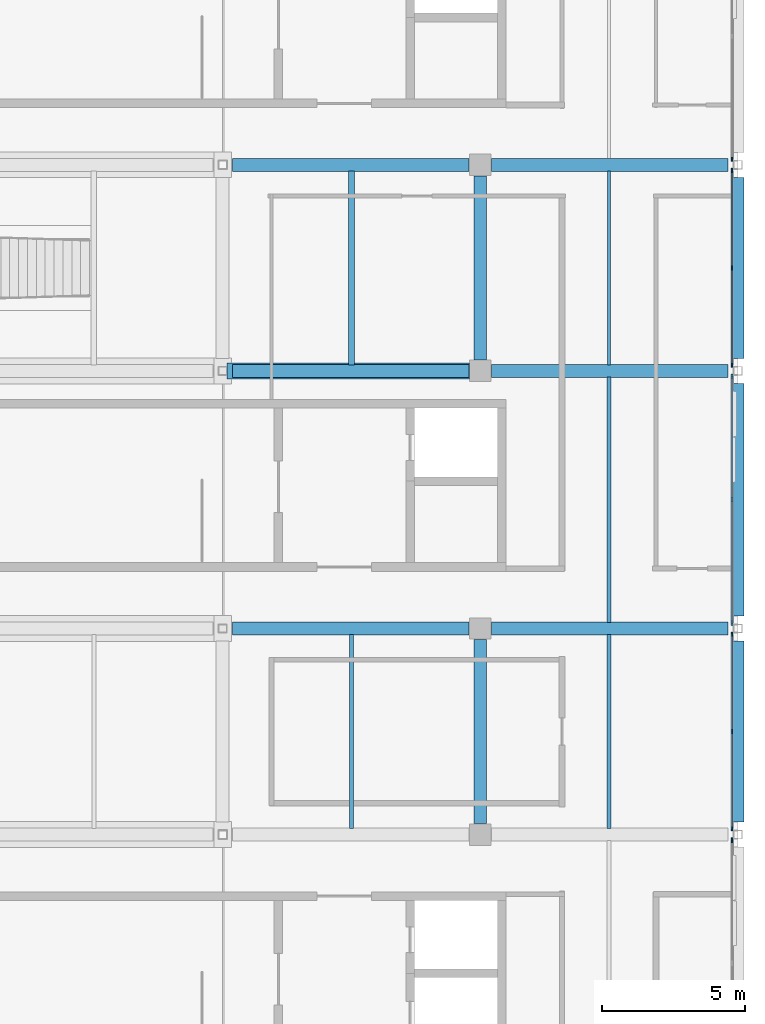
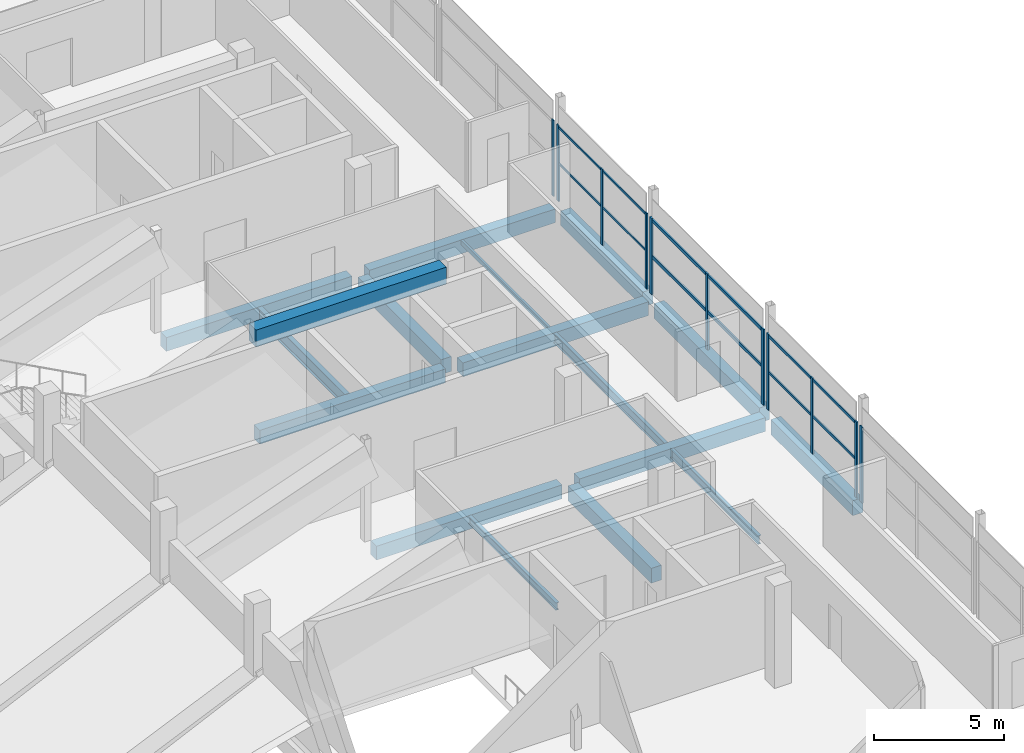
# One storey, part 37 of 66: 17 beams, 17 members, 5 elements without a shape of their own.
"""IFC4 building model written with IfcOpenShell, lengths in metres."""

from ifc_helpers import new_model, si_unit, direction, frame, origin, origin_2d, place, context, subcontext, project, spatial, rectangle, hollow_rectangle, i_section, extrude, material, material_profile, profile_set, type_object, element, aggregate, save


model = new_model("IFC4")

# Units and contexts
model_context = context("Model", 3, precision=1e-05, world=origin(), true_north=direction((0.0, 1.0)))
body_context = subcontext(model_context, "Body", "Model", "MODEL_VIEW")
ifc_project = project(units=[si_unit("LENGTHUNIT", "METRE"), si_unit("AREAUNIT", "SQUARE_METRE"), si_unit("VOLUMEUNIT", "CUBIC_METRE"), si_unit("PLANEANGLEUNIT", "RADIAN"), si_unit("MASSUNIT", "GRAM", prefix="KILO"), si_unit("THERMODYNAMICTEMPERATUREUNIT", "KELVIN"), si_unit("POWERUNIT", "WATT")], contexts=[model_context])

# Site, building, storey
site_placement = place(None, origin())
site = spatial("IfcSite", under=ifc_project, at=site_placement, CompositionType="ELEMENT")
building_placement = place(site_placement, origin())
building = spatial("IfcBuilding", under=site, at=building_placement, Name="Sindhuravela Promenade Stadium", CompositionType="ELEMENT")
storey_placement = place(building_placement, frame((0.0, 0.0, 19.199951171875)))
storey = spatial("IfcBuildingStorey", under=building, at=storey_placement, Name="L04", CompositionType="ELEMENT", Elevation=19.199951171875)

# Curtain wall, members
ifc_material_1 = material(Name="Anodised architectural aluminium 6063-T6", Category="aluminium")
curtain_wall_type_1 = type_object("IfcCurtainWallType", Name="CW-MOD-5", PredefinedType="NOTDEFINED", material=ifc_material_1)
curtain_wall_1_placement = place(storey_placement, origin())
curtain_wall_1 = element("IfcCurtainWall", 1, at=curtain_wall_1_placement, inside=storey, type_object=curtain_wall_type_1, Name="Bronze curtain wall CW-EAST-L04-132", PredefinedType="NOTDEFINED")
ifc_material_profile_1 = material_profile(ifc_material_1, rectangle(XDim=0.074951171875, YDim=0.175048828125, at=origin_2d()), Name="ALU MULL 75x175")
ifc_profile_set_1 = profile_set([ifc_material_profile_1], Name="Anodised architectural aluminium 6063-T6")
member_type_1 = type_object("IfcMemberType", Name="CW-MUL-1", PredefinedType="MULLION", material=ifc_profile_set_1)
member_1_placement = place(storey_placement, frame((206.800048828125, 93.39990234375, 0.0), z_axis=(0.0, 0.0, 1.0), x_axis=(1.0, 0.0, 0.0)))
member_1 = element("IfcMember", 2, at=member_1_placement, type_object=member_type_1, Name="Curtain wall mullion CW-EAST-L04-132-M1", PredefinedType="MULLION", context=body_context, shape_type="SweptSolid", body=[
    extrude(rectangle(XDim=0.074951171875, YDim=0.175048828125, at=origin_2d()), origin(), (0.0, 0.0, 1.0), 3.580078125),
])
member_2_placement = place(storey_placement, frame((206.800048828125, 89.10009765625, 0.0), z_axis=(0.0, 0.0, 1.0), x_axis=(1.0, 0.0, 0.0)))
member_2 = element("IfcMember", 3, at=member_2_placement, type_object=member_type_1, Name="Curtain wall mullion CW-EAST-L04-132-M2", PredefinedType="MULLION", context=body_context, shape_type="SweptSolid", body=[
    extrude(rectangle(XDim=0.074951171875, YDim=0.175048828125, at=origin_2d()), origin(), (0.0, 0.0, 1.0), 3.580078125),
])
member_3_placement = place(storey_placement, frame((206.800048828125, 84.800048828125, 0.0), z_axis=(0.0, 0.0, 1.0), x_axis=(1.0, 0.0, 0.0)))
member_3 = element("IfcMember", 4, at=member_3_placement, type_object=member_type_1, Name="Curtain wall mullion CW-EAST-L04-132-M3", PredefinedType="MULLION", context=body_context, shape_type="SweptSolid", body=[
    extrude(rectangle(XDim=0.074951171875, YDim=0.175048828125, at=origin_2d()), origin(), (0.0, 0.0, 1.0), 3.580078125),
])

curtain_wall_type_2 = type_object("IfcCurtainWallType", Name="CW-MOD-6", PredefinedType="NOTDEFINED", material=ifc_material_1)
curtain_wall_2_placement = place(storey_placement, origin())
curtain_wall_2 = element("IfcCurtainWall", 5, at=curtain_wall_2_placement, inside=storey, type_object=curtain_wall_type_2, Name="Bronze curtain wall CW-EAST-L04-133", PredefinedType="NOTDEFINED")
ifc_material_profile_2 = material_profile(ifc_material_1, rectangle(XDim=0.06494140625, YDim=0.14990234375, at=origin_2d()), Name="ALU MULL 65x150")
ifc_profile_set_2 = profile_set([ifc_material_profile_2], Name="Anodised architectural aluminium 6063-T6")
member_type_2 = type_object("IfcMemberType", Name="CW-MUL-2", PredefinedType="MULLION", material=ifc_profile_set_2)
member_4_placement = place(storey_placement, frame((206.800048828125, 84.39990234375, 0.0), z_axis=(0.0, 0.0, 1.0), x_axis=(1.0, 0.0, 0.0)))
member_4 = element("IfcMember", 6, at=member_4_placement, type_object=member_type_2, Name="Curtain wall mullion CW-EAST-L04-133-M1", PredefinedType="MULLION", context=body_context, shape_type="SweptSolid", body=[
    extrude(rectangle(XDim=0.06494140625, YDim=0.14990234375, at=origin_2d()), origin(), (0.0, 0.0, 1.0), 3.580078125),
])
member_5_placement = place(storey_placement, frame((206.800048828125, 81.0, 0.0), z_axis=(0.0, 0.0, 1.0), x_axis=(1.0, 0.0, 0.0)))
member_5 = element("IfcMember", 7, at=member_5_placement, type_object=member_type_2, Name="Curtain wall mullion CW-EAST-L04-133-M2", PredefinedType="MULLION", context=body_context, shape_type="SweptSolid", body=[
    extrude(rectangle(XDim=0.06494140625, YDim=0.14990234375, at=origin_2d()), origin(), (0.0, 0.0, 1.0), 3.580078125),
])
member_6_placement = place(storey_placement, frame((206.800048828125, 77.60009765625, 0.0), z_axis=(0.0, 0.0, 1.0), x_axis=(1.0, 0.0, 0.0)))
member_6 = element("IfcMember", 8, at=member_6_placement, type_object=member_type_2, Name="Curtain wall mullion CW-EAST-L04-133-M3", PredefinedType="MULLION", context=body_context, shape_type="SweptSolid", body=[
    extrude(rectangle(XDim=0.06494140625, YDim=0.14990234375, at=origin_2d()), origin(), (0.0, 0.0, 1.0), 3.580078125),
])

# Curtain wall, member
curtain_wall_type_3 = type_object("IfcCurtainWallType", Name="CW-MOD-7", PredefinedType="NOTDEFINED", material=ifc_material_1)
curtain_wall_3_placement = place(storey_placement, origin())
curtain_wall_3 = element("IfcCurtainWall", 9, at=curtain_wall_3_placement, inside=storey, type_object=curtain_wall_type_3, Name="Bronze curtain wall CW-EAST-L04-134", PredefinedType="NOTDEFINED")
ifc_material_profile_3 = material_profile(ifc_material_1, rectangle(XDim=0.06005859375, YDim=0.179931640625, at=origin_2d()), Name="ALU M60x180")
ifc_profile_set_3 = profile_set([ifc_material_profile_3], Name="Anodised architectural aluminium 6063-T6")
member_type_3 = type_object("IfcMemberType", Name="CW-MUL-3", PredefinedType="MULLION", material=ifc_profile_set_3)
member_7_placement = place(storey_placement, frame((206.800048828125, 77.199951171875, 0.0), z_axis=(0.0, 0.0, 1.0), x_axis=(1.0, 0.0, 0.0)))
member_7 = element("IfcMember", 10, at=member_7_placement, type_object=member_type_3, Name="Curtain wall mullion CW-EAST-L04-134-M1", PredefinedType="MULLION", context=body_context, shape_type="SweptSolid", body=[
    extrude(rectangle(XDim=0.06005859375, YDim=0.179931640625, at=origin_2d()), origin(), (0.0, 0.0, 1.0), 3.580078125),
])
aggregate(curtain_wall_3, [member_7])

curtain_wall_type_4 = type_object("IfcCurtainWallType", Name="CW-MOD-3", PredefinedType="NOTDEFINED", material=ifc_material_1)
curtain_wall_4_placement = place(storey_placement, origin())
curtain_wall_4 = element("IfcCurtainWall", 11, at=curtain_wall_4_placement, inside=storey, type_object=curtain_wall_type_4, Name="Bronze curtain wall CW-EAST-L04-130", PredefinedType="NOTDEFINED")
ifc_material_profile_4 = material_profile(ifc_material_1, rectangle(XDim=0.06005859375, YDim=0.139892578125, at=origin_2d()), Name="ALU M60x140")
ifc_profile_set_4 = profile_set([ifc_material_profile_4], Name="Anodised architectural aluminium 6063-T6")
member_type_4 = type_object("IfcMemberType", Name="CW-MUL-5", PredefinedType="MULLION", material=ifc_profile_set_4)
member_8_placement = place(storey_placement, frame((206.800048828125, 101.0, 0.0), z_axis=(0.0, 0.0, 1.0), x_axis=(1.0, 0.0, 0.0)))
member_8 = element("IfcMember", 12, at=member_8_placement, type_object=member_type_4, Name="Curtain wall mullion CW-EAST-L04-130-M3", PredefinedType="MULLION", context=body_context, shape_type="SweptSolid", body=[
    extrude(rectangle(XDim=0.06005859375, YDim=0.139892578125, at=origin_2d()), origin(), (0.0, 0.0, 1.0), 3.580078125),
])
aggregate(curtain_wall_4, [member_8])

# Curtain wall, members
curtain_wall_type_5 = type_object("IfcCurtainWallType", Name="CW-MOD-4", PredefinedType="NOTDEFINED", material=ifc_material_1)
curtain_wall_5_placement = place(storey_placement, origin())
curtain_wall_5 = element("IfcCurtainWall", 13, at=curtain_wall_5_placement, inside=storey, type_object=curtain_wall_type_5, Name="Bronze curtain wall CW-EAST-L04-131", PredefinedType="NOTDEFINED")
ifc_material_profile_5 = material_profile(ifc_material_1, rectangle(XDim=0.054931640625, YDim=0.14990234375, at=origin_2d()), Name="ALU M55x150")
ifc_profile_set_5 = profile_set([ifc_material_profile_5], Name="Anodised architectural aluminium 6063-T6")
member_type_5 = type_object("IfcMemberType", Name="CW-MUL-6", PredefinedType="MULLION", material=ifc_profile_set_5)
member_9_placement = place(storey_placement, frame((206.800048828125, 100.60009765625, 0.0), z_axis=(0.0, 0.0, 1.0), x_axis=(1.0, 0.0, 0.0)))
member_9 = element("IfcMember", 14, at=member_9_placement, type_object=member_type_5, Name="Curtain wall mullion CW-EAST-L04-131-M1", PredefinedType="MULLION", context=body_context, shape_type="SweptSolid", body=[
    extrude(rectangle(XDim=0.054931640625, YDim=0.14990234375, at=origin_2d()), origin(), (0.0, 0.0, 1.0), 3.580078125),
])
member_10_placement = place(storey_placement, frame((206.800048828125, 97.199951171875, 0.0), z_axis=(0.0, 0.0, 1.0), x_axis=(1.0, 0.0, 0.0)))
member_10 = element("IfcMember", 15, at=member_10_placement, type_object=member_type_5, Name="Curtain wall mullion CW-EAST-L04-131-M2", PredefinedType="MULLION", context=body_context, shape_type="SweptSolid", body=[
    extrude(rectangle(XDim=0.054931640625, YDim=0.14990234375, at=origin_2d()), origin(), (0.0, 0.0, 1.0), 3.580078125),
])
member_11_placement = place(storey_placement, frame((206.800048828125, 93.800048828125, 0.0), z_axis=(0.0, 0.0, 1.0), x_axis=(1.0, 0.0, 0.0)))
member_11 = element("IfcMember", 16, at=member_11_placement, type_object=member_type_5, Name="Curtain wall mullion CW-EAST-L04-131-M3", PredefinedType="MULLION", context=body_context, shape_type="SweptSolid", body=[
    extrude(rectangle(XDim=0.054931640625, YDim=0.14990234375, at=origin_2d()), origin(), (0.0, 0.0, 1.0), 3.580078125),
])

# Member
ifc_material_profile_6 = material_profile(ifc_material_1, rectangle(XDim=0.074951171875, YDim=0.14990234375, at=origin_2d()), Name="ALU TRAN 75x150")
ifc_profile_set_6 = profile_set([ifc_material_profile_6], Name="Anodised architectural aluminium 6063-T6")
member_type_6 = type_object("IfcMemberType", Name="CW-TRN-1", PredefinedType="USERDEFINED", material=ifc_profile_set_6)
member_12_placement = place(storey_placement, frame((206.800048828125, 93.425048828125, 1.7900390625), z_axis=(0.0, -1.0, 0.0), x_axis=(1.0, 0.0, 0.0)))
member_12 = element("IfcMember", 17, at=member_12_placement, type_object=member_type_6, Name="Curtain wall transom CW-EAST-L04-132-T1", ObjectType="TRANSOM", PredefinedType="USERDEFINED", context=body_context, shape_type="SweptSolid", body=[
    extrude(rectangle(XDim=0.074951171875, YDim=0.14990234375, at=origin_2d()), origin(), (0.0, 0.0, 1.0), 8.650146484375),
])

member_13_placement = place(storey_placement, frame((206.800048828125, 93.425048828125, 3.5), z_axis=(0.0, -1.0, 0.0), x_axis=(1.0, 0.0, 0.0)))
member_13 = element("IfcMember", 18, at=member_13_placement, type_object=member_type_6, Name="Curtain wall transom CW-EAST-L04-132-T2", ObjectType="TRANSOM", PredefinedType="USERDEFINED", context=body_context, shape_type="SweptSolid", body=[
    extrude(rectangle(XDim=0.074951171875, YDim=0.14990234375, at=origin_2d()), origin(), (0.0, 0.0, 1.0), 8.650146484375),
])

aggregate(curtain_wall_1, [member_1, member_2, member_3, member_12, member_13])

ifc_material_profile_7 = material_profile(ifc_material_1, rectangle(XDim=0.06494140625, YDim=0.125, at=origin_2d()), Name="ALU TRAN 65x125")
ifc_profile_set_7 = profile_set([ifc_material_profile_7], Name="Anodised architectural aluminium 6063-T6")
member_type_7 = type_object("IfcMemberType", Name="CW-TRN-2", PredefinedType="USERDEFINED", material=ifc_profile_set_7)
member_14_placement = place(storey_placement, frame((206.800048828125, 84.425048828125, 1.7900390625), z_axis=(0.0, -1.0, 0.0), x_axis=(1.0, 0.0, 0.0)))
member_14 = element("IfcMember", 19, at=member_14_placement, type_object=member_type_7, Name="Curtain wall transom CW-EAST-L04-133-T1", ObjectType="TRANSOM", PredefinedType="USERDEFINED", context=body_context, shape_type="SweptSolid", body=[
    extrude(rectangle(XDim=0.06494140625, YDim=0.125, at=origin_2d()), origin(), (0.0, 0.0, 1.0), 6.85009765625),
])

member_15_placement = place(storey_placement, frame((206.800048828125, 84.425048828125, 3.5), z_axis=(0.0, -1.0, 0.0), x_axis=(1.0, 0.0, 0.0)))
member_15 = element("IfcMember", 20, at=member_15_placement, type_object=member_type_7, Name="Curtain wall transom CW-EAST-L04-133-T2", ObjectType="TRANSOM", PredefinedType="USERDEFINED", context=body_context, shape_type="SweptSolid", body=[
    extrude(rectangle(XDim=0.06494140625, YDim=0.125, at=origin_2d()), origin(), (0.0, 0.0, 1.0), 6.85009765625),
])

aggregate(curtain_wall_2, [member_4, member_5, member_6, member_14, member_15])

ifc_material_profile_8 = material_profile(ifc_material_1, rectangle(XDim=0.054931640625, YDim=0.10498046875, at=origin_2d()), Name="ALU T55x105")
ifc_profile_set_8 = profile_set([ifc_material_profile_8], Name="Anodised architectural aluminium 6063-T6")
member_type_8 = type_object("IfcMemberType", Name="CW-TRN-6", PredefinedType="USERDEFINED", material=ifc_profile_set_8)
member_16_placement = place(storey_placement, frame((206.800048828125, 100.625, 1.7900390625), z_axis=(0.0, -1.0, 0.0), x_axis=(1.0, 0.0, 0.0)))
member_16 = element("IfcMember", 21, at=member_16_placement, type_object=member_type_8, Name="Curtain wall transom CW-EAST-L04-131-T1", ObjectType="TRANSOM", PredefinedType="USERDEFINED", context=body_context, shape_type="SweptSolid", body=[
    extrude(rectangle(XDim=0.054931640625, YDim=0.10498046875, at=origin_2d()), origin(), (0.0, 0.0, 1.0), 6.85009765625),
])

member_17_placement = place(storey_placement, frame((206.800048828125, 100.625, 3.5), z_axis=(0.0, -1.0, 0.0), x_axis=(1.0, 0.0, 0.0)))
member_17 = element("IfcMember", 22, at=member_17_placement, type_object=member_type_8, Name="Curtain wall transom CW-EAST-L04-131-T2", ObjectType="TRANSOM", PredefinedType="USERDEFINED", context=body_context, shape_type="SweptSolid", body=[
    extrude(rectangle(XDim=0.054931640625, YDim=0.10498046875, at=origin_2d()), origin(), (0.0, 0.0, 1.0), 6.85009765625),
])

aggregate(curtain_wall_5, [member_9, member_10, member_11, member_16, member_17])

# Beams
ifc_material_2 = material(Name="Concrete M40", Category="concrete")
ifc_material_profile_9 = material_profile(ifc_material_2, rectangle(XDim=0.449951171875, YDim=0.64990234375, at=origin_2d()), Name="RC 450x650")
ifc_profile_set_9 = profile_set([ifc_material_profile_9], Name="Concrete M40")
beam_type_1 = type_object("IfcBeamType", Name="RC-BM-450x650", PredefinedType="T_BEAM", material=ifc_profile_set_9)
for number, where, z_axis, x_axis, name in (
    (23, (189.340087890625, 84.60009765625, -0.64501953125), (1.0, 0.0, 0.0), (0.0, 1.0, 0.0), "Primary girder GB08 EAST L04"),
    (24, (198.389892578125, 84.60009765625, -0.64501953125), (1.0, 0.0, 0.0), (0.0, 1.0, 0.0), "Primary girder GB08 EAST L04"),
    (25, (189.340087890625, 93.60009765625, -0.64501953125), (1.0, 0.0, 0.0), (0.0, 1.0, 0.0), "Primary girder GB08 EAST L04"),
    (26, (198.389892578125, 93.60009765625, -0.64501953125), (1.0, 0.0, 0.0), (0.0, 1.0, 0.0), "Primary girder GB08 EAST L04"),
    (27, (189.340087890625, 100.800048828125, -0.64501953125), (1.0, 0.0, 0.0), (0.0, 1.0, 0.0), "Primary girder GB08 EAST L04"),
    (28, (198.389892578125, 100.800048828125, -0.64501953125), (1.0, 0.0, 0.0), (0.0, 1.0, 0.0), "Primary girder GB08 EAST L04"),
):
    element("IfcBeam", number, at=place(storey_placement, frame(where, z_axis=z_axis, x_axis=x_axis)), inside=storey, type_object=beam_type_1, Name=name, PredefinedType="T_BEAM", context=body_context, shape_type="SweptSolid", body=[
        extrude(rectangle(XDim=0.449951171875, YDim=0.64990234375, at=origin_2d()), origin(), (0.0, 0.0, 1.0), 8.27001953125),
    ])
ifc_material_profile_10 = material_profile(ifc_material_2, rectangle(XDim=0.449951171875, YDim=0.699951171875, at=origin_2d()), Name="RC 450x700")
ifc_profile_set_10 = profile_set([ifc_material_profile_10], Name="Concrete M40")
beam_type_2 = type_object("IfcBeamType", Name="RC-BM-450x700", PredefinedType="BEAM", material=ifc_profile_set_10)
for number, where, z_axis, x_axis, name in (
    (29, (198.0, 77.7900390625, -0.669921875), (0.0, 1.0, 0.0), (-1.0, 0.0, 0.0), "Primary beam GB07 EAST L04"),
    (30, (198.0, 93.989990234375, -0.669921875), (0.0, 1.0, 0.0), (-1.0, 0.0, 0.0), "Primary beam GB07 EAST L04"),
):
    element("IfcBeam", number, at=place(storey_placement, frame(where, z_axis=z_axis, x_axis=x_axis)), inside=storey, type_object=beam_type_2, Name=name, PredefinedType="BEAM", context=body_context, shape_type="SweptSolid", body=[
        extrude(rectangle(XDim=0.449951171875, YDim=0.699951171875, at=origin_2d()), origin(), (0.0, 0.0, 1.0), 6.419921875),
    ])
beam_1_placement = place(storey_placement, frame((207.0, 77.840087890625, -0.669921875), z_axis=(0.0, 1.0, 0.0), x_axis=(-1.0, 0.0, 0.0)))
element("IfcBeam", 31, at=beam_1_placement, inside=storey, type_object=beam_type_2, Name="Primary beam GB07 EAST L04", PredefinedType="BEAM", context=body_context, shape_type="SweptSolid", body=[
    extrude(rectangle(XDim=0.449951171875, YDim=0.699951171875, at=origin_2d()), origin(), (0.0, 0.0, 1.0), 6.31982421875),
])
beam_2_placement = place(storey_placement, frame((207.0, 85.0400390625, -0.669921875), z_axis=(0.0, 1.0, 0.0), x_axis=(-1.0, 0.0, 0.0)))
element("IfcBeam", 32, at=beam_2_placement, inside=storey, type_object=beam_type_2, Name="Primary beam GB07 EAST L04", PredefinedType="BEAM", context=body_context, shape_type="SweptSolid", body=[
    extrude(rectangle(XDim=0.449951171875, YDim=0.699951171875, at=origin_2d()), origin(), (0.0, 0.0, 1.0), 8.119873046875),
])
beam_3_placement = place(storey_placement, frame((207.0, 94.0400390625, -0.669921875), z_axis=(0.0, 1.0, 0.0), x_axis=(-1.0, 0.0, 0.0)))
element("IfcBeam", 33, at=beam_3_placement, inside=storey, type_object=beam_type_2, Name="Primary beam GB07 EAST L04", PredefinedType="BEAM", context=body_context, shape_type="SweptSolid", body=[
    extrude(rectangle(XDim=0.449951171875, YDim=0.699951171875, at=origin_2d()), origin(), (0.0, 0.0, 1.0), 6.320068359375),
])
ifc_material_profile_11 = material_profile(ifc_material_2, rectangle(XDim=0.550048828125, YDim=0.800048828125, at=origin_2d()), Name="RC 550x800")
ifc_profile_set_11 = profile_set([ifc_material_profile_11], Name="Concrete M40")
beam_type_3 = type_object("IfcBeamType", Name="RC-BM-550x800", PredefinedType="BEAM", material=ifc_profile_set_11)
beam_4_placement = place(storey_placement, frame((189.14990234375, 93.60009765625, 4.09814453125), z_axis=(1.0, 0.0, 0.0), x_axis=(0.0, 1.0, 0.0)))
element("IfcBeam", 34, at=beam_4_placement, inside=storey, type_object=beam_type_3, Name="Primary girder GB05 EAST L04 canopy tie 2", PredefinedType="BEAM", context=body_context, shape_type="SweptSolid", body=[
    extrude(rectangle(XDim=0.550048828125, YDim=0.800048828125, at=origin_2d()), origin(), (0.0, 0.0, 1.0), 8.47509765625),
])
ifc_material_3 = material(Name="Steel E350 (IS 2062 E350BR)", Category="steel")
ifc_material_profile_12 = material_profile(ifc_material_3, hollow_rectangle(XDim=0.10009765625, YDim=0.199951171875, WallThickness=0.008056640625, at=origin_2d()), Name="RHS 200x100x8")
ifc_profile_set_12 = profile_set([ifc_material_profile_12], Name="Steel E350 (IS 2062 E350BR)")
beam_type_4 = type_object("IfcBeamType", Name="ST-BM-LNT200", PredefinedType="LINTEL", material=ifc_profile_set_12)
beam_5_placement = place(storey_placement, frame((202.5, 93.81494140625, -0.419921875), z_axis=(0.0, 1.0, 0.0), x_axis=(-1.0, 0.0, 0.0)))
element("IfcBeam", 35, at=beam_5_placement, inside=storey, type_object=beam_type_4, Name="Secondary floor joist LN01 EAST L04", PredefinedType="LINTEL", context=body_context, shape_type="SweptSolid", body=[
    extrude(hollow_rectangle(XDim=0.10009765625, YDim=0.199951171875, WallThickness=0.008056640625, at=origin_2d()), origin(), (0.0, 0.0, 1.0), 6.77001953125),
])
ifc_material_profile_13 = material_profile(ifc_material_3, i_section(OverallWidth=0.139892578125, OverallDepth=0.35009765625, WebThickness=0.008056640625, FlangeThickness=0.01416015625, FilletRadius=0.013916015625, at=origin_2d()), Name="ISMB 350")
ifc_profile_set_13 = profile_set([ifc_material_profile_13], Name="Steel E350 (IS 2062 E350BR)")
beam_type_5 = type_object("IfcBeamType", Name="ST-BM-MB350", PredefinedType="JOIST", material=ifc_profile_set_13)
beam_6_placement = place(storey_placement, frame((193.5, 77.614990234375, -0.494873046875), z_axis=(0.0, 1.0, 0.0), x_axis=(-1.0, 0.0, 0.0)))
element("IfcBeam", 36, at=beam_6_placement, inside=storey, type_object=beam_type_5, Name="Secondary floor joist SB04 EAST L04", PredefinedType="JOIST", context=body_context, shape_type="SweptSolid", body=[
    extrude(i_section(OverallWidth=0.139892578125, OverallDepth=0.35009765625, WebThickness=0.008056640625, FlangeThickness=0.01416015625, FilletRadius=0.013916015625, at=origin_2d()), origin(), (0.0, 0.0, 1.0), 6.77001953125),
])
ifc_material_profile_14 = material_profile(ifc_material_3, i_section(OverallWidth=0.139892578125, OverallDepth=0.39990234375, WebThickness=0.0087890625, FlangeThickness=0.01611328125, FilletRadius=0.013916015625, at=origin_2d()), Name="ISMB 400")
ifc_profile_set_14 = profile_set([ifc_material_profile_14], Name="Steel E350 (IS 2062 E350BR)")
beam_type_6 = type_object("IfcBeamType", Name="ST-BM-MB400", PredefinedType="BEAM", material=ifc_profile_set_14)
beam_7_placement = place(storey_placement, frame((202.5, 77.614990234375, -0.52001953125), z_axis=(0.0, 1.0, 0.0), x_axis=(-1.0, 0.0, 0.0)))
element("IfcBeam", 37, at=beam_7_placement, inside=storey, type_object=beam_type_6, Name="Secondary floor joist SB05 EAST L04", PredefinedType="BEAM", context=body_context, shape_type="SweptSolid", body=[
    extrude(i_section(OverallWidth=0.139892578125, OverallDepth=0.39990234375, WebThickness=0.0087890625, FlangeThickness=0.01611328125, FilletRadius=0.013916015625, at=origin_2d()), origin(), (0.0, 0.0, 1.0), 6.77001953125),
])
ifc_material_profile_15 = material_profile(ifc_material_3, i_section(OverallWidth=0.14990234375, OverallDepth=0.449951171875, WebThickness=0.009521484375, FlangeThickness=0.017333984375, FilletRadius=0.014892578125, at=origin_2d()), Name="ISMB 450")
ifc_profile_set_15 = profile_set([ifc_material_profile_15], Name="Steel E350 (IS 2062 E350BR)")
beam_type_7 = type_object("IfcBeamType", Name="ST-BM-MB450", PredefinedType="BEAM", material=ifc_profile_set_15)
beam_8_placement = place(storey_placement, frame((202.5, 84.81494140625, -0.544921875), z_axis=(0.0, 1.0, 0.0), x_axis=(-1.0, 0.0, 0.0)))
element("IfcBeam", 38, at=beam_8_placement, inside=storey, type_object=beam_type_7, Name="Secondary floor joist SB06 EAST L04", PredefinedType="BEAM", context=body_context, shape_type="SweptSolid", body=[
    extrude(i_section(OverallWidth=0.14990234375, OverallDepth=0.449951171875, WebThickness=0.009521484375, FlangeThickness=0.017333984375, FilletRadius=0.014892578125, at=origin_2d()), origin(), (0.0, 0.0, 1.0), 8.570068359375),
])
ifc_material_profile_16 = material_profile(ifc_material_3, i_section(OverallWidth=0.2099609375, OverallDepth=0.60009765625, WebThickness=0.011962890625, FlangeThickness=0.020751953125, FilletRadius=0.02001953125, at=origin_2d()), Name="ISMB 600")
ifc_profile_set_16 = profile_set([ifc_material_profile_16], Name="Steel E350 (IS 2062 E350BR)")
beam_type_8 = type_object("IfcBeamType", Name="ST-BM-MB600", PredefinedType="BEAM", material=ifc_profile_set_16)
beam_9_placement = place(storey_placement, frame((193.5, 93.81494140625, -0.619873046875), z_axis=(0.0, 1.0, 0.0), x_axis=(-1.0, 0.0, 0.0)))
element("IfcBeam", 39, at=beam_9_placement, inside=storey, type_object=beam_type_8, Name="Secondary floor joist SB09 EAST L04", PredefinedType="BEAM", context=body_context, shape_type="SweptSolid", body=[
    extrude(i_section(OverallWidth=0.2099609375, OverallDepth=0.60009765625, WebThickness=0.011962890625, FlangeThickness=0.020751953125, FilletRadius=0.02001953125, at=origin_2d()), origin(), (0.0, 0.0, 1.0), 6.77001953125),
])

save(model, "model.ifc")
